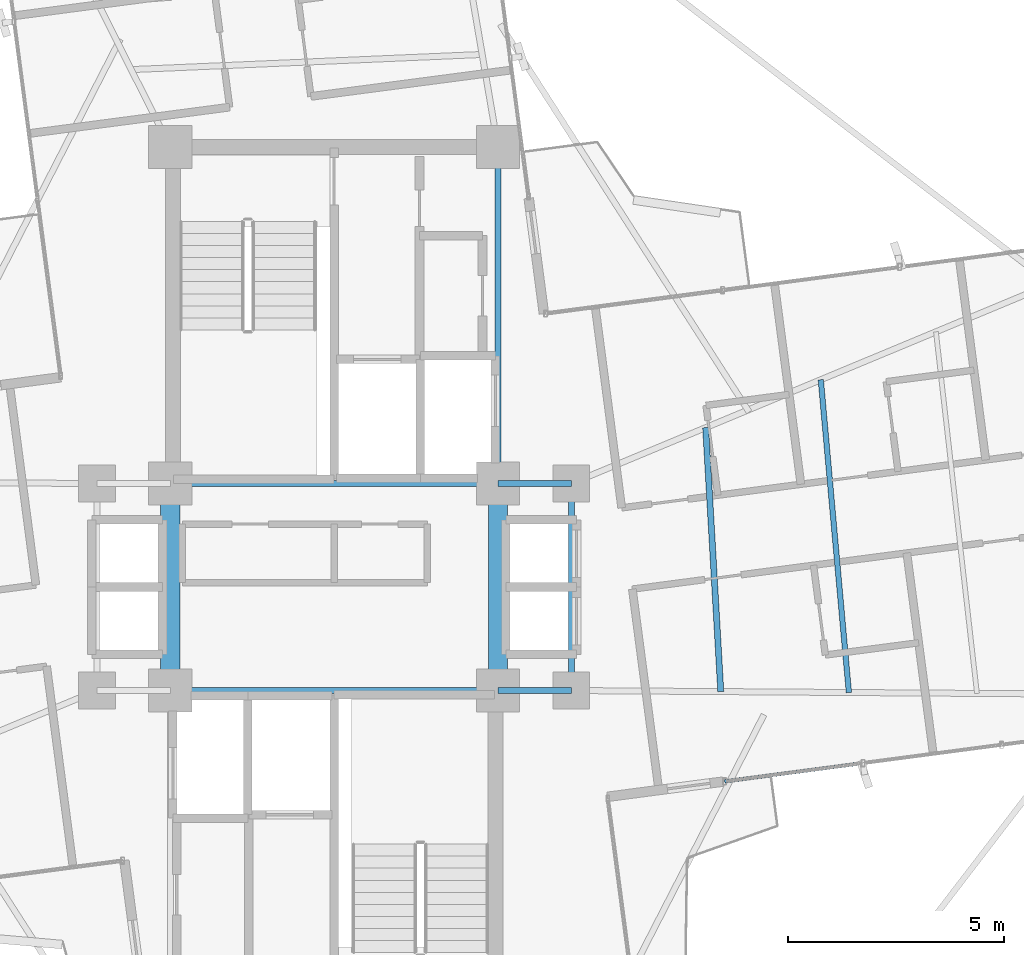
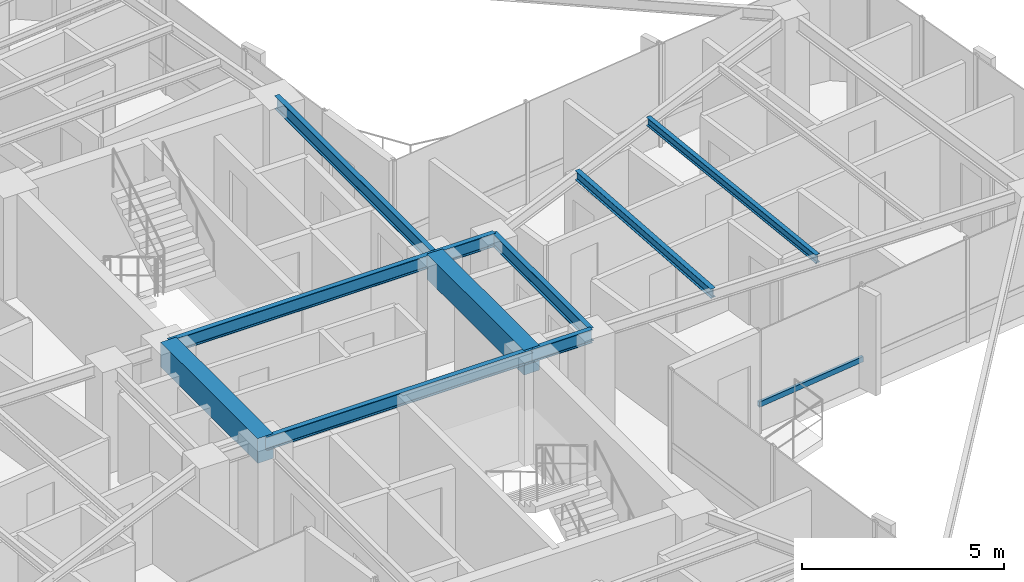
# One storey, part 9 of 22: 10 beams, 1 member, 1 element without a shape of its own.
"""IFC4 building model written with IfcOpenShell, lengths in metres."""

from ifc_helpers import new_model, si_unit, direction, frame, origin, origin_2d, place, context, subcontext, project, spatial, rectangle, hollow_rectangle, i_section, extrude, source, transform, mapped, material, material_profile, profile_set, type_object, element, aggregate, save


model = new_model("IFC4")

# Units and contexts
model_context = context("Model", 3, precision=1e-05, world=origin(), true_north=direction((0.0, 1.0)))
body_context = subcontext(model_context, "Body", "Model", "MODEL_VIEW")
ifc_project = project(units=[si_unit("LENGTHUNIT", "METRE"), si_unit("AREAUNIT", "SQUARE_METRE"), si_unit("VOLUMEUNIT", "CUBIC_METRE"), si_unit("PLANEANGLEUNIT", "RADIAN"), si_unit("MASSUNIT", "GRAM", prefix="KILO")], contexts=[model_context])

# Site, building, storey
site_placement = place(None, origin())
site = spatial("IfcSite", under=ifc_project, at=site_placement, CompositionType="ELEMENT")
building_placement = place(site_placement, origin())
building = spatial("IfcBuilding", under=site, at=building_placement, Name="Sahyath Konkavel Grand Hotel", CompositionType="ELEMENT")
storey_placement = place(building_placement, frame((0.0, 0.0, 206.5)))
storey = spatial("IfcBuildingStorey", under=building, at=storey_placement, Name="L57", CompositionType="ELEMENT", Elevation=206.5)

# Beams
ifc_material_1 = material(Name="Steel E350", Category="steel")
ifc_material_profile_1 = material_profile(ifc_material_1, i_section(OverallWidth=0.139892578125, OverallDepth=0.39990234375, WebThickness=0.0087890625, FlangeThickness=0.01611328125, FilletRadius=0.013916015625, at=origin_2d()), Name="ISMB 400")
ifc_profile_set_1 = profile_set([ifc_material_profile_1], Name="Steel E350")
beam_type_1 = type_object("IfcBeamType", Name="BM-ISMB400", PredefinedType="BEAM", material=ifc_profile_set_1)
shared_shape_1 = source(origin(), body_context, "Body", "SweptSolid", [
    extrude(i_section(OverallWidth=0.139892578125, OverallDepth=0.39990234375, WebThickness=0.0087890625, FlangeThickness=0.01611328125, FilletRadius=0.013916015625, at=origin_2d()), origin(), (0.0, 0.0, 1.0), 7.60009765625),
])
for number, where, z_axis, x_axis, name in (
    (1, (-3.800048828125, 2.39990234375, 2.909912109375), (1.0, 0.0, 0.0), (0.0, 1.0, 0.0), "str:bm:L57:NC-S"),
    (2, (-3.800048828125, -2.39990234375, 2.909912109375), (1.0, 0.0, 0.0), (0.0, 1.0, 0.0), "str:bm:L57:SC-N"),
):
    element("IfcBeam", number, at=place(storey_placement, frame(where, z_axis=z_axis, x_axis=x_axis)), inside=storey, type_object=beam_type_1, Name=name, PredefinedType="BEAM", context=body_context, shape_type="MappedRepresentation", body=[
        mapped(shared_shape_1, transform((0.0, 0.0, 0.0), scale=1.0)),
    ])
shared_shape_2 = source(origin(), body_context, "Body", "SweptSolid", [
    extrude(i_section(OverallWidth=0.139892578125, OverallDepth=0.39990234375, WebThickness=0.0087890625, FlangeThickness=0.01611328125, FilletRadius=0.013916015625, at=origin_2d()), origin(), (0.0, 0.0, 1.0), 7.800048828125),
])
beam_1_placement = place(storey_placement, frame((3.800048828125, 2.39990234375, 2.909912109375), z_axis=(0.0, 1.0, 0.0), x_axis=(-1.0, 0.0, 0.0)))
element("IfcBeam", 3, at=beam_1_placement, inside=storey, type_object=beam_type_1, Name="str:bm:L57:NC-E", PredefinedType="BEAM", context=body_context, shape_type="MappedRepresentation", body=[
    mapped(shared_shape_2, transform((0.0, 0.0, 0.0), scale=1.0)),
])
shared_shape_3 = source(origin(), body_context, "Body", "SweptSolid", [
    extrude(i_section(OverallWidth=0.139892578125, OverallDepth=0.39990234375, WebThickness=0.0087890625, FlangeThickness=0.01611328125, FilletRadius=0.013916015625, at=origin_2d()), origin(), (0.0, 0.0, 1.0), 1.699951171875),
])
for number, where, z_axis, x_axis, name in (
    (4, (3.800048828125, 2.39990234375, 2.909912109375), (1.0, 0.0, 0.0), (0.0, 1.0, 0.0), "str:bm:L57:HB-NE"),
    (5, (3.800048828125, -2.39990234375, 2.909912109375), (1.0, 0.0, 0.0), (0.0, 1.0, 0.0), "str:bm:L57:HB-SE"),
):
    element("IfcBeam", number, at=place(storey_placement, frame(where, z_axis=z_axis, x_axis=x_axis)), inside=storey, type_object=beam_type_1, Name=name, PredefinedType="BEAM", context=body_context, shape_type="MappedRepresentation", body=[
        mapped(shared_shape_3, transform((0.0, 0.0, 0.0), scale=1.0)),
    ])
shared_shape_4 = source(origin(), body_context, "Body", "SweptSolid", [
    extrude(i_section(OverallWidth=0.139892578125, OverallDepth=0.39990234375, WebThickness=0.0087890625, FlangeThickness=0.01611328125, FilletRadius=0.013916015625, at=origin_2d()), origin(), (0.0, 0.0, 1.0), 4.7998046875),
])
beam_2_placement = place(storey_placement, frame((5.5, -2.39990234375, 2.909912109375), z_axis=(0.0, 1.0, 0.0), x_axis=(-1.0, 0.0, 0.0)))
element("IfcBeam", 6, at=beam_2_placement, inside=storey, type_object=beam_type_1, Name="str:bm:L57:HB-E", PredefinedType="BEAM", context=body_context, shape_type="MappedRepresentation", body=[
    mapped(shared_shape_4, transform((0.0, 0.0, 0.0), scale=1.0)),
])
ifc_material_2 = material(Name="Concrete C40/50", Category="concrete")
ifc_material_profile_2 = material_profile(ifc_material_2, rectangle(XDim=0.449951171875, YDim=0.75, at=origin_2d()), Name="RC 450x750")
ifc_profile_set_2 = profile_set([ifc_material_profile_2], Name="Concrete C40/50")
beam_type_2 = type_object("IfcBeamType", Name="BM-CB450x750", PredefinedType="LINTEL", material=ifc_profile_set_2)
shared_shape_5 = source(origin(), body_context, "Body", "SweptSolid", [
    extrude(rectangle(XDim=0.449951171875, YDim=0.75, at=origin_2d()), origin(), (0.0, 0.0, 1.0), 4.7998046875),
])
for number, where, z_axis, x_axis, name in (
    (7, (-3.800048828125, -2.39990234375, 2.735107421875), (0.0, 1.0, 0.0), (-1.0, 0.0, 0.0), "L57 Split-Core Coupling Beam West"),
    (8, (3.800048828125, -2.39990234375, 2.735107421875), (0.0, 1.0, 0.0), (-1.0, 0.0, 0.0), "L57 Split-Core Coupling Beam East"),
):
    element("IfcBeam", number, at=place(storey_placement, frame(where, z_axis=z_axis, x_axis=x_axis)), inside=storey, type_object=beam_type_2, Name=name, PredefinedType="LINTEL", context=body_context, shape_type="MappedRepresentation", body=[
        mapped(shared_shape_5, transform((0.0, 0.0, 0.0), scale=1.0)),
    ])
ifc_material_profile_3 = material_profile(ifc_material_1, i_section(OverallWidth=0.139892578125, OverallDepth=0.27490234375, WebThickness=0.00634765625, FlangeThickness=0.0087890625, FilletRadius=0.012939453125, at=origin_2d()), Name="ISLB 275")
ifc_profile_set_3 = profile_set([ifc_material_profile_3], Name="Steel E350")
beam_type_3 = type_object("IfcBeamType", Name="BM-ISLB275", PredefinedType="BEAM", material=ifc_profile_set_3)
shared_shape_6 = source(origin(), body_context, "Body", "SweptSolid", [
    extrude(i_section(OverallWidth=0.139892578125, OverallDepth=0.27490234375, WebThickness=0.00634765625, FlangeThickness=0.0087890625, FilletRadius=0.012939453125, at=origin_2d()), origin(), (0.0, 0.0, 1.0), 6.130859375),
])
beam_3_placement = place(storey_placement, frame((8.9658203125, -2.424560546875, 2.972412109375), z_axis=(-0.057223299361, 0.998361404508, 0.0), x_axis=(-0.998361404508, -0.057223299361, 0.0)))
element("IfcBeam", 9, at=beam_3_placement, inside=storey, type_object=beam_type_3, Name="L57 Secondary Floor Beam E-1", PredefinedType="BEAM", context=body_context, shape_type="MappedRepresentation", body=[
    mapped(shared_shape_6, transform((0.0, 0.0, 0.0), scale=1.0)),
])
ifc_material_profile_4 = material_profile(ifc_material_1, i_section(OverallWidth=0.125, OverallDepth=0.25, WebThickness=0.0068359375, FlangeThickness=0.012451171875, FilletRadius=0.012939453125, at=origin_2d()), Name="ISMB 250")
ifc_profile_set_4 = profile_set([ifc_material_profile_4], Name="Steel E350")
beam_type_4 = type_object("IfcBeamType", Name="BM-ISMB250", PredefinedType="BEAM", material=ifc_profile_set_4)
shared_shape_7 = source(origin(), body_context, "Body", "SweptSolid", [
    extrude(i_section(OverallWidth=0.125, OverallDepth=0.25, WebThickness=0.0068359375, FlangeThickness=0.012451171875, FilletRadius=0.012939453125, at=origin_2d()), origin(), (0.0, 0.0, 1.0), 7.28271484375),
])
beam_4_placement = place(storey_placement, frame((11.936279296875, -2.44580078125, 2.985107421875), z_axis=(-0.08944149657, 0.995992077625, 0.0), x_axis=(-0.995992077625, -0.08944149657, 0.0)))
element("IfcBeam", 10, at=beam_4_placement, inside=storey, type_object=beam_type_4, Name="L57 Secondary Floor Beam E-2", PredefinedType="BEAM", context=body_context, shape_type="MappedRepresentation", body=[
    mapped(shared_shape_7, transform((0.0, 0.0, 0.0), scale=1.0)),
])

# Curtain wall, member
ifc_material_3 = material(Name="Anodised Bronze Aluminium & Low-E Glazing", Category="aluminium")
curtain_wall_type = type_object("IfcCurtainWallType", Name="CW-ZONE4", PredefinedType="NOTDEFINED", material=ifc_material_3)
curtain_wall_placement = place(storey_placement, origin())
curtain_wall = element("IfcCurtainWall", 11, at=curtain_wall_placement, inside=storey, type_object=curtain_wall_type, Name="L57 Unitised Curtain Wall F0", PredefinedType="NOTDEFINED")
ifc_material_4 = material(Name="Anodised Bronze Aluminium", Category="aluminium")
ifc_material_profile_5 = material_profile(ifc_material_4, hollow_rectangle(XDim=0.080078125, YDim=0.159912109375, WallThickness=0.006103515625, at=origin_2d()), Name="RHS 160x80x6")
ifc_profile_set_5 = profile_set([ifc_material_profile_5], Name="Anodised Bronze Aluminium")
member_type = type_object("IfcMemberType", Name="CW-TRN-160", PredefinedType="USERDEFINED", material=ifc_profile_set_5)
shared_shape_8 = source(origin(), body_context, "Body", "SweptSolid", [
    extrude(hollow_rectangle(XDim=0.080078125, YDim=0.159912109375, WallThickness=0.006103515625, at=origin_2d()), origin(), (0.0, 0.0, 1.0), 3.240234375),
])
member_placement = place(storey_placement, frame((9.0556640625, -4.506591796875, 0.85009765625), z_axis=(0.991447626157, 0.130505189885, 0.0), x_axis=(-0.130505189885, 0.991447626157, 0.0)))
member = element("IfcMember", 12, at=member_placement, type_object=member_type, Name="L57 Curtain Wall Transom F0-0-spandrel", ObjectType="TRANSOM", PredefinedType="USERDEFINED", context=body_context, shape_type="MappedRepresentation", body=[
    mapped(shared_shape_8, transform((0.0, 0.0, 0.0), scale=1.0)),
])
aggregate(curtain_wall, [member])

save(model, "model.ifc")
